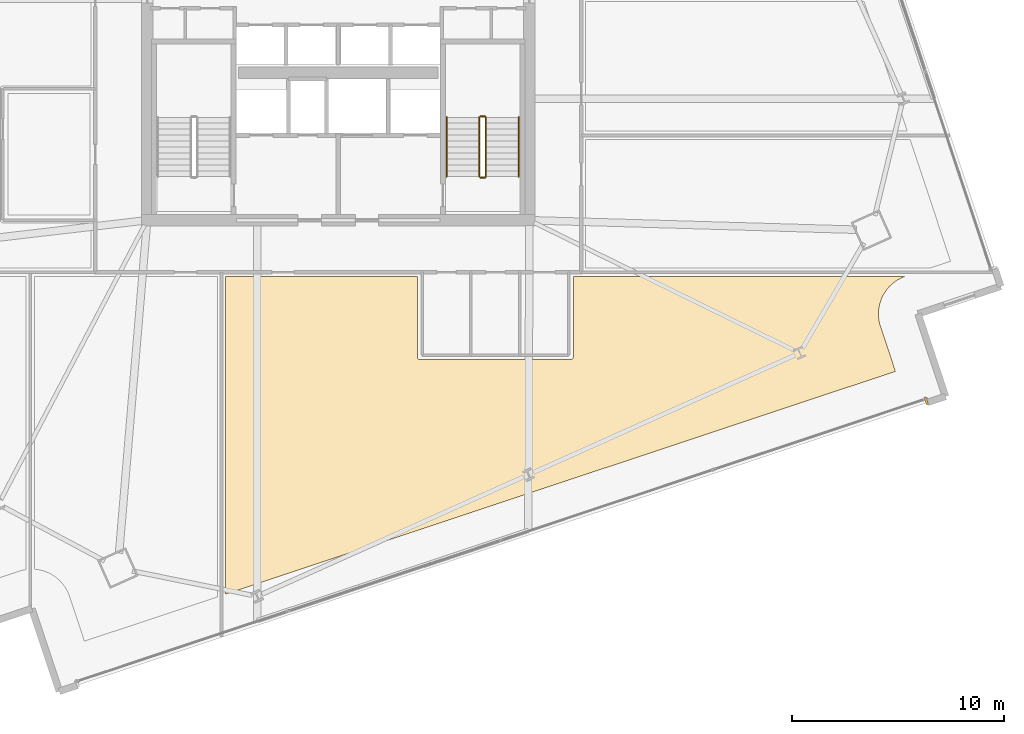
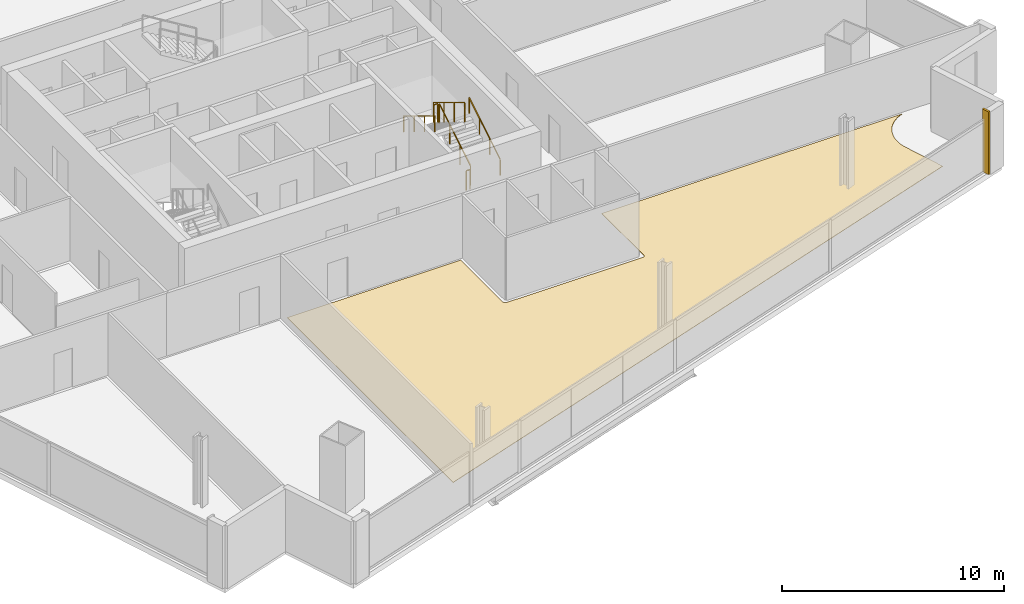
# One storey, part 31 of 34: 6 railings, 2 coverings.
"""IFC4 building model written with IfcOpenShell, lengths in metres."""

from ifc_helpers import new_model, si_unit, direction, frame, origin, origin_2d, place, context, subcontext, project, spatial, polyline, rectangle, outline, extrude, source, transform, mapped, material, layer, layer_set, type_object, element, save


model = new_model("IFC4")

# Units and contexts
model_context = context("Model", 3, precision=1e-05, world=origin(), true_north=direction((0.0, 1.0)))
body_context = subcontext(model_context, "Body", "Model", "MODEL_VIEW")
ifc_project = project(units=[si_unit("LENGTHUNIT", "METRE"), si_unit("AREAUNIT", "SQUARE_METRE"), si_unit("VOLUMEUNIT", "CUBIC_METRE"), si_unit("PLANEANGLEUNIT", "RADIAN"), si_unit("MASSUNIT", "GRAM", prefix="KILO")], contexts=[model_context])

# Site, building, storey
site_placement = place(None, origin())
site = spatial("IfcSite", under=ifc_project, at=site_placement, CompositionType="ELEMENT")
building_placement = place(site_placement, origin())
building = spatial("IfcBuilding", under=site, at=building_placement, Name="Haldenkirk Collegiate Tower", CompositionType="ELEMENT")
storey_placement = place(building_placement, frame((0.0, 0.0, 90.449951171875)))
storey = spatial("IfcBuildingStorey", under=building, at=storey_placement, Name="L21", CompositionType="ELEMENT", Elevation=90.449951171875)

# Covering
ifc_material_1 = material(Name="Polished collegiate terrazzo", Category="concrete")
ifc_layer_1 = layer(ifc_material_1, 0.02490234375)
ifc_layer_set_1 = layer_set([ifc_layer_1], Name="Polished collegiate terrazzo")
covering_type_1 = type_object("IfcCoveringType", Name="COV-FLOOR-TERRAZZO", PredefinedType="FLOORING", material=ifc_layer_set_1)
covering_1_placement = place(storey_placement, origin())
element("IfcCovering", 1, at=covering_1_placement, inside=storey, type_object=covering_type_1, Name="L21 academic room finish 04", PredefinedType="FLOORING", context=body_context, shape_type="SweptSolid", body=[
    extrude(outline(polyline([(39.72998046875, 11.550048828125), (39.730712890625, 11.5380859375), (39.732421875, 11.526611328125), (39.735107421875, 11.51513671875), (39.739013671875, 11.504150390625), (39.744140625, 11.493408203125), (39.750244140625, 11.4833984375), (39.757080078125, 11.473876953125), (39.76513671875, 11.465087890625), (39.77392578125, 11.457275390625), (39.783203125, 11.4501953125), (39.79345703125, 11.444091796875), (39.80419921875, 11.439208984375), (39.815185546875, 11.435302734375), (39.82666015625, 11.432373046875), (39.838134765625, 11.4306640625), (39.85009765625, 11.429931640625), (46.949951171875, 11.429931640625), (46.9619140625, 11.4306640625), (46.973388671875, 11.432373046875), (46.98486328125, 11.435302734375), (46.995849609375, 11.439208984375), (47.006591796875, 11.444091796875), (47.0166015625, 11.4501953125), (47.026123046875, 11.457275390625), (47.034912109375, 11.465087890625), (47.042724609375, 11.473876953125), (47.0498046875, 11.4833984375), (47.055908203125, 11.493408203125), (47.060791015625, 11.504150390625), (47.064697265625, 11.51513671875), (47.067626953125, 11.526611328125), (47.0693359375, 11.5380859375), (47.070068359375, 11.550048828125), (47.070068359375, 15.35009765625), (62.694091796875, 15.35009765625), (62.55859375, 15.297607421875), (62.5478515625, 15.292724609375), (62.39453125, 15.215087890625), (62.384521484375, 15.209228515625), (62.239501953125, 15.1171875), (62.22998046875, 15.1103515625), (62.0947265625, 15.00439453125), (62.085693359375, 14.99658203125), (61.961669921875, 14.878173828125), (61.95361328125, 14.869384765625), (61.841796875, 14.7392578125), (61.83447265625, 14.72998046875), (61.73583984375, 14.58935546875), (61.7294921875, 14.579345703125), (61.645263671875, 14.4296875), (61.639892578125, 14.419189453125), (61.57080078125, 14.261962890625), (61.56640625, 14.2509765625), (61.512939453125, 14.087890625), (61.509765625, 14.076416015625), (61.472412109375, 13.908935546875), (61.470458984375, 13.897216796875), (61.449951171875, 13.726806640625), (61.448974609375, 13.715087890625), (61.445068359375, 13.543212890625), (61.4453125, 13.531494140625), (61.45849609375, 13.3603515625), (61.4599609375, 13.3486328125), (61.489501953125, 13.179443359375), (61.4921875, 13.16796875), (61.538330078125, 13.00244140625), (61.5400390625, 12.996826171875), (62.244140625, 10.880859375), (30.699951171875, 0.3876953125), (30.699951171875, 15.35009765625), (39.72998046875, 15.35009765625), (39.72998046875, 11.550048828125)])), origin(), (0.0, 0.0, 1.0), 0.025146484375),
])

# Railings
ifc_material_2 = material(Name="Painted architectural tubular steel", Category="steel")
railing_type_1 = type_object("IfcRailingType", Name="RLG-STAIR-GUARD-1100", PredefinedType="BALUSTRADE", material=ifc_material_2)
railing_1_placement = place(storey_placement, frame((42.949951171875, 20.050048828125, 0.17041015625)))
element("IfcRailing", 2, at=railing_1_placement, inside=storey, type_object=railing_type_1, Name="L21 ST-2 stair guard 1", PredefinedType="BALUSTRADE", context=body_context, shape_type="SweptSolid", body=[
    extrude(rectangle(XDim=0.048095703125, YDim=0.048095703125, at=origin_2d()), frame((0.0, 0.0, 1.076171875), z_axis=(0.0, 0.854169791009, 0.51999420009), x_axis=(-1.0, 0.0, 0.0)), (0.0, 0.0, 1.0), 3.278076171875),
    extrude(rectangle(XDim=0.0419921875, YDim=0.0419921875, at=origin_2d()), origin(), (0.0, 0.0, 1.0), 1.052001953125),
    extrude(rectangle(XDim=0.0419921875, YDim=0.0419921875, at=origin_2d()), frame((0.0, 0.933349609375, 0.568115234375)), (0.0, 0.0, 1.0), 1.052001953125),
    extrude(rectangle(XDim=0.0419921875, YDim=0.0419921875, at=origin_2d()), frame((0.0, 1.86669921875, 1.136474609375)), (0.0, 0.0, 1.0), 1.052001953125),
    extrude(rectangle(XDim=0.0419921875, YDim=0.0419921875, at=origin_2d()), frame((0.0, 2.800048828125, 1.70458984375)), (0.0, 0.0, 1.0), 1.052001953125),
])
railing_2_placement = place(storey_placement, frame((42.89990234375, 22.89990234375, 1.875)))
element("IfcRailing", 3, at=railing_2_placement, inside=storey, type_object=railing_type_1, Name="L21 ST-2 stair guard 2", PredefinedType="BALUSTRADE", context=body_context, shape_type="SweptSolid", body=[
    extrude(rectangle(XDim=0.048095703125, YDim=0.048095703125, at=origin_2d()), frame((0.0, 0.0, 1.076171875), z_axis=(-1.0, 0.0, 0.0), x_axis=(0.0, -1.0, 0.0)), (0.0, 0.0, 1.0), 0.199951171875),
    extrude(rectangle(XDim=0.0419921875, YDim=0.0419921875, at=origin_2d()), origin(), (0.0, 0.0, 1.0), 1.052001953125),
    extrude(rectangle(XDim=0.0419921875, YDim=0.0419921875, at=origin_2d()), frame((-0.199951171875, 0.0, 0.0)), (0.0, 0.0, 1.0), 1.052001953125),
])
railing_3_placement = place(storey_placement, frame((42.64990234375, 22.85009765625, 2.04541015625)))
element("IfcRailing", 4, at=railing_3_placement, inside=storey, type_object=railing_type_1, Name="L21 ST-2 stair guard 3", PredefinedType="BALUSTRADE", context=body_context, shape_type="SweptSolid", body=[
    extrude(rectangle(XDim=0.048095703125, YDim=0.048095703125, at=origin_2d()), frame((0.0, 0.0, 1.076171875), z_axis=(0.0, -0.854169791009, 0.51999420009), x_axis=(1.0, 0.0, 0.0)), (0.0, 0.0, 1.0), 3.278076171875),
    extrude(rectangle(XDim=0.0419921875, YDim=0.0419921875, at=origin_2d()), origin(), (0.0, 0.0, 1.0), 1.052001953125),
    extrude(rectangle(XDim=0.0419921875, YDim=0.0419921875, at=origin_2d()), frame((0.0, -0.933349609375, 0.568115234375)), (0.0, 0.0, 1.0), 1.052001953125),
    extrude(rectangle(XDim=0.0419921875, YDim=0.0419921875, at=origin_2d()), frame((0.0, -1.86669921875, 1.136474609375)), (0.0, 0.0, 1.0), 1.052001953125),
    extrude(rectangle(XDim=0.0419921875, YDim=0.0419921875, at=origin_2d()), frame((0.0, -2.800048828125, 1.70458984375)), (0.0, 0.0, 1.0), 1.052001953125),
])
railing_4_placement = place(storey_placement, frame((42.89990234375, 20.0, 0.0)))
element("IfcRailing", 5, at=railing_4_placement, inside=storey, type_object=railing_type_1, Name="L21 ST-2 stair guard 4", PredefinedType="BALUSTRADE", context=body_context, shape_type="SweptSolid", body=[
    extrude(rectangle(XDim=0.048095703125, YDim=0.048095703125, at=origin_2d()), frame((0.0, 0.0, 1.076171875), z_axis=(-1.0, 0.0, 0.0), x_axis=(0.0, -1.0, 0.0)), (0.0, 0.0, 1.0), 0.199951171875),
    extrude(rectangle(XDim=0.0419921875, YDim=0.0419921875, at=origin_2d()), origin(), (0.0, 0.0, 1.0), 1.052001953125),
    extrude(rectangle(XDim=0.0419921875, YDim=0.0419921875, at=origin_2d()), frame((-0.199951171875, 0.0, 0.0)), (0.0, 0.0, 1.0), 1.052001953125),
])
railing_type_2 = type_object("IfcRailingType", Name="RLG-STAIR-HANDRAIL-900", PredefinedType="HANDRAIL", material=ifc_material_2)
railing_5_placement = place(storey_placement, frame((44.5, 20.050048828125, 0.17041015625)))
element("IfcRailing", 6, at=railing_5_placement, inside=storey, type_object=railing_type_2, Name="L21 ST-2 stair handrail 1", PredefinedType="HANDRAIL", context=body_context, shape_type="SweptSolid", body=[
    extrude(rectangle(XDim=0.048095703125, YDim=0.048095703125, at=origin_2d()), frame((0.0, 0.0, 0.8759765625), z_axis=(0.0, 0.854169791009, 0.51999420009), x_axis=(-1.0, 0.0, 0.0)), (0.0, 0.0, 1.0), 3.278076171875),
    extrude(rectangle(XDim=0.0419921875, YDim=0.0419921875, at=origin_2d()), origin(), (0.0, 0.0, 1.0), 0.851806640625),
    extrude(rectangle(XDim=0.0419921875, YDim=0.0419921875, at=origin_2d()), frame((0.0, 0.933349609375, 0.568115234375)), (0.0, 0.0, 1.0), 0.851806640625),
    extrude(rectangle(XDim=0.0419921875, YDim=0.0419921875, at=origin_2d()), frame((0.0, 1.86669921875, 1.136474609375)), (0.0, 0.0, 1.0), 0.851806640625),
    extrude(rectangle(XDim=0.0419921875, YDim=0.0419921875, at=origin_2d()), frame((0.0, 2.800048828125, 1.70458984375)), (0.0, 0.0, 1.0), 0.851806640625),
])
railing_6_placement = place(storey_placement, frame((41.10009765625, 22.85009765625, 2.04541015625)))
element("IfcRailing", 7, at=railing_6_placement, inside=storey, type_object=railing_type_2, Name="L21 ST-2 stair handrail 2", PredefinedType="HANDRAIL", context=body_context, shape_type="SweptSolid", body=[
    extrude(rectangle(XDim=0.048095703125, YDim=0.048095703125, at=origin_2d()), frame((0.0, 0.0, 0.8759765625), z_axis=(0.0, -0.854169791009, 0.51999420009), x_axis=(1.0, 0.0, 0.0)), (0.0, 0.0, 1.0), 3.278076171875),
    extrude(rectangle(XDim=0.0419921875, YDim=0.0419921875, at=origin_2d()), origin(), (0.0, 0.0, 1.0), 0.851806640625),
    extrude(rectangle(XDim=0.0419921875, YDim=0.0419921875, at=origin_2d()), frame((0.0, -0.933349609375, 0.568115234375)), (0.0, 0.0, 1.0), 0.851806640625),
    extrude(rectangle(XDim=0.0419921875, YDim=0.0419921875, at=origin_2d()), frame((0.0, -1.86669921875, 1.136474609375)), (0.0, 0.0, 1.0), 0.851806640625),
    extrude(rectangle(XDim=0.0419921875, YDim=0.0419921875, at=origin_2d()), frame((0.0, -2.800048828125, 1.70458984375)), (0.0, 0.0, 1.0), 0.851806640625),
])

# Covering
ifc_material_3 = material(Name="Anodised architectural bronze aluminium", Category="aluminium")
ifc_layer_2 = layer(ifc_material_3, 0.06005859375)
ifc_layer_set_2 = layer_set([ifc_layer_2], Name="Anodised architectural bronze aluminium")
covering_type_2 = type_object("IfcCoveringType", Name="COV-CLAD-BRONZE-60", PredefinedType="CLADDING", material=ifc_layer_set_2)
shared_shape = source(origin(), body_context, "Body", "SweptSolid", [
    extrude(rectangle(XDim=0.10009765625, YDim=0.3798828125, at=origin_2d()), origin(), (0.0, 0.0, 1.0), 3.449951171875),
])
covering_2_placement = place(storey_placement, frame((63.69775390625, 9.488525390625, 0.0), z_axis=(0.0, 0.0, 1.0), x_axis=(-0.948876011644, -0.315649036947, 0.0)))
element("IfcCovering", 8, at=covering_2_placement, inside=storey, type_object=covering_type_2, Name="L21 recessed curtain-wall bronze jamb closure SJL", PredefinedType="CLADDING", context=body_context, shape_type="MappedRepresentation", body=[
    mapped(shared_shape, transform((0.0, 0.0, 0.0), x_axis=(1.0, 0.0, 0.0), y_axis=(0.0, 1.0, 0.0), z_axis=(0.0, 0.0, 1.0), scale=1.0)),
])

save(model, "model.ifc")
